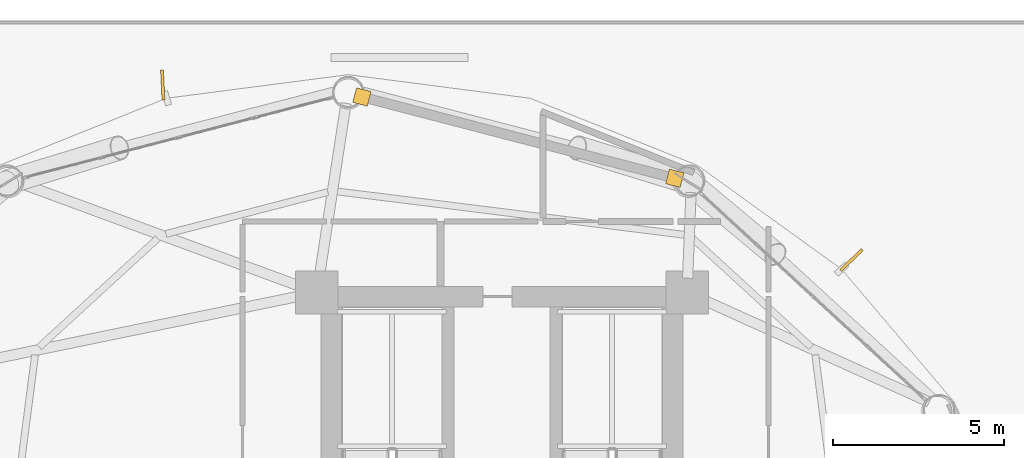
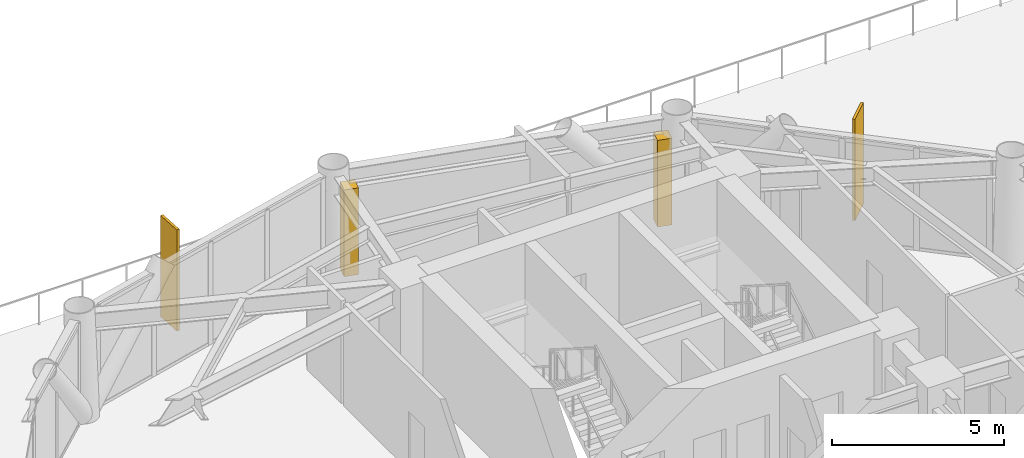
# One storey, part 24 of 24: 2 coverings, 2 shading devices.
"""IFC4 building model written with IfcOpenShell, lengths in metres."""

from ifc_helpers import new_model, si_unit, direction, frame, origin, origin_2d, place, context, subcontext, project, spatial, rectangle, extrude, source, transform, mapped, material, layer, layer_set, type_object, type_shapes, element, save


model = new_model("IFC4")

# Units and contexts
model_context = context("Model", 3, precision=1e-05, world=origin(), true_north=direction((0.0, 1.0)))
body_context = subcontext(model_context, "Body", "Model", "MODEL_VIEW")
ifc_project = project(units=[si_unit("LENGTHUNIT", "METRE"), si_unit("AREAUNIT", "SQUARE_METRE"), si_unit("VOLUMEUNIT", "CUBIC_METRE"), si_unit("PLANEANGLEUNIT", "RADIAN"), si_unit("MASSUNIT", "GRAM", prefix="KILO")], contexts=[model_context])

# Site, building, storey
site_placement = place(None, origin())
site = spatial("IfcSite", under=ifc_project, at=site_placement, CompositionType="ELEMENT")
building_placement = place(site_placement, origin())
building = spatial("IfcBuilding", under=site, at=building_placement, Name="Varnakorn Sky Granary", CompositionType="ELEMENT")
storey_placement = place(building_placement, frame((0.0, 0.0, 27.60009765625)))
storey = spatial("IfcBuildingStorey", under=building, at=storey_placement, Name="L06", CompositionType="ELEMENT", Elevation=27.60009765625)

# Shading devices
ifc_material = material(Name="Anodised Bronze Aluminium Alloy 6063-T6", Category="aluminium")
shading_device_type = type_object("IfcShadingDeviceType", Name="SH-FIN-01", PredefinedType="USERDEFINED", material=ifc_material)
shared_shape_1 = source(origin(), body_context, "Body", "SweptSolid", [
    extrude(rectangle(XDim=0.0849609375, YDim=0.8798828125, at=origin_2d()), origin(), (0.0, 0.0, 1.0), 3.60009765625),
])
type_shapes(shading_device_type, [shared_shape_1])
for number, where, z_axis, x_axis, name in (
    (1, (13.23681640625, 13.5751953125, -0.0400390625), (0.0, 0.0, 1.0), (-0.69417247132, 0.719808710743, 0.0), "Bronze Solar-Tracking Vertical Blade FIN L06-02"),
    (2, (-6.93408203125, 18.6923828125, -0.0400390625), (0.0, 0.0, 1.0), (-0.998886968658, -0.047168038391, 0.0), "Bronze Solar-Tracking Vertical Blade FIN L06-04"),
):
    element("IfcShadingDevice", number, at=place(storey_placement, frame(where, z_axis=z_axis, x_axis=x_axis)), inside=storey, type_object=shading_device_type, Name=name, ObjectType="FIN", PredefinedType="USERDEFINED", context=body_context, shape_type="MappedRepresentation", body=[
        mapped(shared_shape_1, transform((0.0, 0.0, 0.0), x_axis=(1.0, 0.0, 0.0), y_axis=(0.0, 1.0, 0.0), z_axis=(0.0, 0.0, 1.0), scale=1.0)),
    ])

# Coverings
ifc_layer = layer(ifc_material, 0.050048828125, Name="Anodised Bronze Aluminium Alloy 6063-T6")
ifc_layer_set = layer_set([ifc_layer], Name="Anodised Bronze Aluminium Alloy 6063-T6")
covering_type = type_object("IfcCoveringType", Name="CV-CLAD-50", PredefinedType="CLADDING", material=ifc_layer_set)
shared_shape_2 = source(origin(), body_context, "Body", "SweptSolid", [
    extrude(rectangle(XDim=0.43994140625, YDim=0.43994140625, at=origin_2d()), origin(), (0.0, 0.0, 1.0), 3.080078125),
])
type_shapes(covering_type, [shared_shape_2])
for number, where, z_axis, x_axis, name in (
    (3, (-1.101318359375, 18.34619140625, -0.02001953125), (0.0, 0.0, 1.0), (0.967841021032, -0.251562632376, 0.0), "Bronze Corner Pilaster Closure L06-P03-A"),
    (4, (8.058837890625, 15.965087890625, -0.02001953125), (0.0, 0.0, 1.0), (0.967841021032, -0.251562632376, 0.0), "Bronze Corner Pilaster Closure L06-P03-B"),
):
    element("IfcCovering", number, at=place(storey_placement, frame(where, z_axis=z_axis, x_axis=x_axis)), inside=storey, type_object=covering_type, Name=name, PredefinedType="CLADDING", context=body_context, shape_type="MappedRepresentation", body=[
        mapped(shared_shape_2, transform((0.0, 0.0, 0.0), x_axis=(1.0, 0.0, 0.0), y_axis=(0.0, 1.0, 0.0), z_axis=(0.0, 0.0, 1.0), scale=1.0)),
    ])

save(model, "model.ifc")
